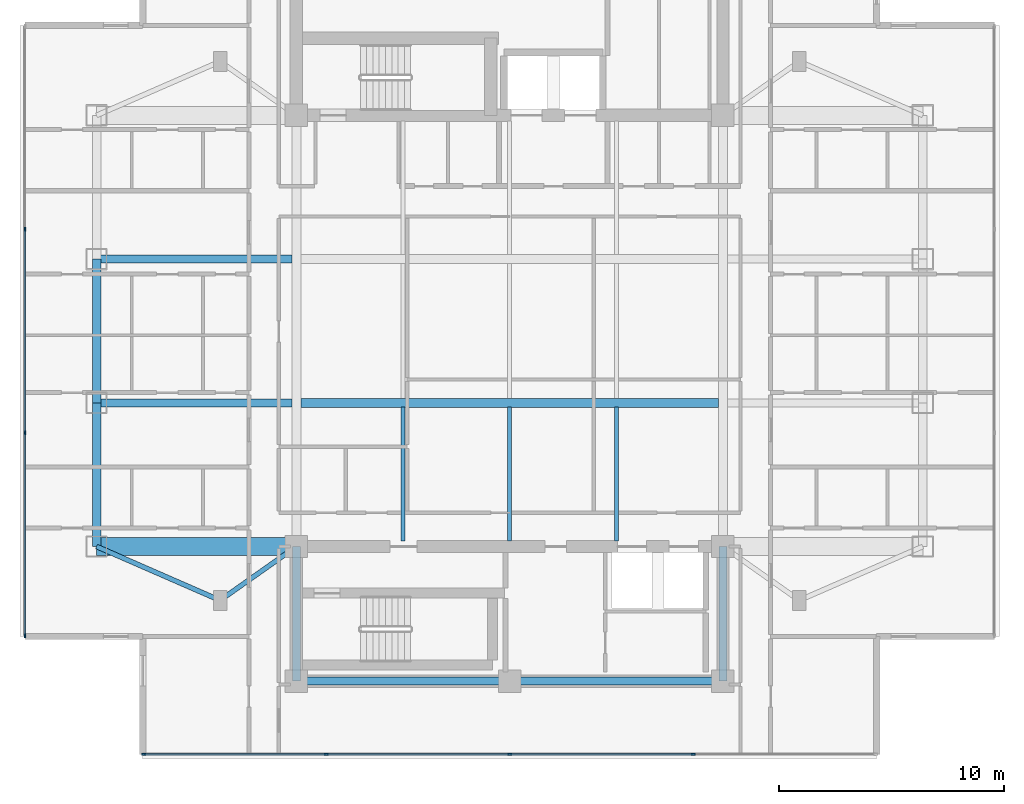
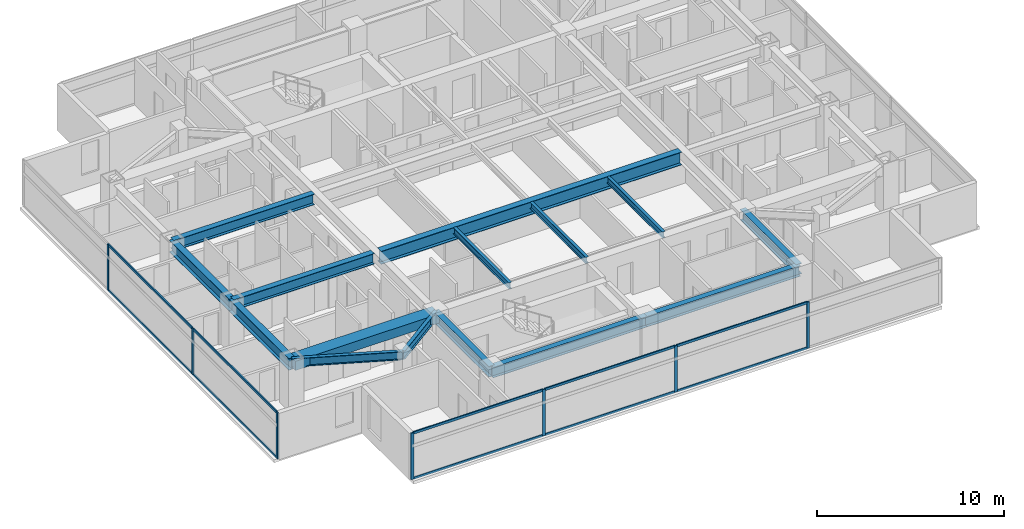
# One storey, part 2 of 25: 17 members, 15 beams, 2 elements without a shape of their own.
"""IFC4 building model written with IfcOpenShell, lengths in metres."""

from ifc_helpers import new_model, si_unit, direction, frame, origin, origin_2d, place, context, subcontext, project, spatial, rectangle, i_section, extrude, material, material_profile, profile_set, type_object, element, aggregate, save


model = new_model("IFC4")

# Units and contexts
model_context = context("Model", 3, precision=1e-05, world=origin(), true_north=direction((0.0, 1.0)))
body_context = subcontext(model_context, "Body", "Model", "MODEL_VIEW")
ifc_project = project(units=[si_unit("LENGTHUNIT", "METRE"), si_unit("AREAUNIT", "SQUARE_METRE"), si_unit("VOLUMEUNIT", "CUBIC_METRE"), si_unit("PLANEANGLEUNIT", "RADIAN"), si_unit("MASSUNIT", "GRAM", prefix="KILO")], contexts=[model_context])

# Site, building, storey
site_placement = place(None, origin())
site = spatial("IfcSite", under=ifc_project, at=site_placement, CompositionType="ELEMENT")
building_placement = place(site_placement, origin())
building = spatial("IfcBuilding", under=site, at=building_placement, Name="Mirazonda Arch Towers", CompositionType="ELEMENT")
storey_placement = place(building_placement, frame((0.0, 0.0, 177.14990234375)))
storey = spatial("IfcBuildingStorey", under=building, at=storey_placement, Name="L50", CompositionType="ELEMENT", Elevation=177.14990234375)

# Beams
ifc_material_1 = material(Name="Steel ASTM A992 Grade 50", Category="steel")
ifc_material_profile_1 = material_profile(ifc_material_1, i_section(OverallWidth=0.381103515625, OverallDepth=0.77294921875, WebThickness=0.0166015625, FlangeThickness=0.027099609375, at=origin_2d()), Name="W30X173")
ifc_profile_set_1 = profile_set([ifc_material_profile_1], Name="Steel ASTM A992 Grade 50")
beam_type_1 = type_object("IfcBeamType", Name="BM-EXT-W30X173", PredefinedType="USERDEFINED", material=ifc_profile_set_1)
beam_1_placement = place(storey_placement, frame((2.10009765625, 18.39990234375, 2.66357421875), z_axis=(0.0, 1.0, 0.0), x_axis=(-1.0, 0.0, 0.0)))
element("IfcBeam", 1, at=beam_1_placement, inside=storey, type_object=beam_type_1, Name="L50 Floor Beam BM-T1-L50-NS-W-18", ObjectType="GIRDER", PredefinedType="USERDEFINED", context=body_context, shape_type="SweptSolid", body=[
    extrude(i_section(OverallWidth=0.381103515625, OverallDepth=0.77294921875, WebThickness=0.0166015625, FlangeThickness=0.027099609375, at=origin_2d()), origin(), (0.0, 0.0, 1.0), 6.400146484375),
])
beam_2_placement = place(storey_placement, frame((2.10009765625, 24.800048828125, 2.66357421875), z_axis=(0.0, 1.0, 0.0), x_axis=(-1.0, 0.0, 0.0)))
element("IfcBeam", 2, at=beam_2_placement, inside=storey, type_object=beam_type_1, Name="L50 Floor Beam BM-T1-L50-NS-W-24", ObjectType="GIRDER", PredefinedType="USERDEFINED", context=body_context, shape_type="SweptSolid", body=[
    extrude(i_section(OverallWidth=0.381103515625, OverallDepth=0.77294921875, WebThickness=0.0166015625, FlangeThickness=0.027099609375, at=origin_2d()), origin(), (0.0, 0.0, 1.0), 6.39990234375),
])
ifc_material_profile_2 = material_profile(ifc_material_1, i_section(OverallWidth=0.180908203125, OverallDepth=0.4169921875, WebThickness=0.010986328125, FlangeThickness=0.018310546875, at=origin_2d()), Name="W16X57")
ifc_profile_set_2 = profile_set([ifc_material_profile_2], Name="Steel ASTM A992 Grade 50")
beam_type_2 = type_object("IfcBeamType", Name="BM-INT-W16X57", PredefinedType="JOIST", material=ifc_profile_set_2)
for number, where, z_axis, x_axis, name in (
    (3, (15.75, 18.639892578125, 2.841552734375), (0.0, 1.0, 0.0), (-1.0, 0.0, 0.0), "L50 Floor Beam BM-T1-L50-J-157-18"),
    (4, (20.5, 18.639892578125, 2.841552734375), (0.0, 1.0, 0.0), (-1.0, 0.0, 0.0), "L50 Floor Beam BM-T1-L50-J-205-18"),
    (5, (25.25, 18.639892578125, 2.841552734375), (0.0, 1.0, 0.0), (-1.0, 0.0, 0.0), "L50 Floor Beam BM-T1-L50-J-252-18"),
):
    element("IfcBeam", number, at=place(storey_placement, frame(where, z_axis=z_axis, x_axis=x_axis)), inside=storey, type_object=beam_type_2, Name=name, PredefinedType="JOIST", context=body_context, shape_type="SweptSolid", body=[
        extrude(i_section(OverallWidth=0.180908203125, OverallDepth=0.4169921875, WebThickness=0.010986328125, FlangeThickness=0.018310546875, at=origin_2d()), origin(), (0.0, 0.0, 1.0), 5.964111328125),
    ])
ifc_material_profile_3 = material_profile(ifc_material_1, i_section(OverallWidth=0.214111328125, OverallDepth=0.549072265625, WebThickness=0.0146484375, FlangeThickness=0.023681640625, at=origin_2d()), Name="W21X93")
ifc_profile_set_3 = profile_set([ifc_material_profile_3], Name="Steel ASTM A992 Grade 50")
beam_type_3 = type_object("IfcBeamType", Name="BM-INT-W21X93", PredefinedType="BEAM", material=ifc_profile_set_3)
beam_3_placement = place(storey_placement, frame((7.60009765625, 16.0, 2.775634765625), z_axis=(0.816971114901, 0.576678591087, 0.0), x_axis=(-0.576678591087, 0.816971114901, 0.0)))
element("IfcBeam", 6, at=beam_3_placement, inside=storey, type_object=beam_type_3, Name="L50 Floor Beam BM-T1-L50-PL-SW1", PredefinedType="BEAM", context=body_context, shape_type="SweptSolid", body=[
    extrude(i_section(OverallWidth=0.214111328125, OverallDepth=0.549072265625, WebThickness=0.0146484375, FlangeThickness=0.023681640625, at=origin_2d()), origin(), (0.0, 0.0, 1.0), 4.16162109375),
])
beam_4_placement = place(storey_placement, frame((7.60009765625, 16.0, 2.775634765625), z_axis=(-0.916545343703, 0.399930785183, 0.0), x_axis=(-0.399930785183, -0.916545343703, 0.0)))
element("IfcBeam", 7, at=beam_4_placement, inside=storey, type_object=beam_type_3, Name="L50 Floor Beam BM-T1-L50-PL-SW2", PredefinedType="BEAM", context=body_context, shape_type="SweptSolid", body=[
    extrude(i_section(OverallWidth=0.214111328125, OverallDepth=0.549072265625, WebThickness=0.0146484375, FlangeThickness=0.023681640625, at=origin_2d()), origin(), (0.0, 0.0, 1.0), 6.000732421875),
])
ifc_material_profile_4 = material_profile(ifc_material_1, i_section(OverallWidth=0.35498046875, OverallDepth=0.696044921875, WebThickness=0.015380859375, FlangeThickness=0.02490234375, at=origin_2d()), Name="W27X146")
ifc_profile_set_4 = profile_set([ifc_material_profile_4], Name="Steel ASTM A992 Grade 50")
beam_type_4 = type_object("IfcBeamType", Name="BM-INT-W27X146", PredefinedType="BEAM", material=ifc_profile_set_4)
for number, where, z_axis, x_axis, name in (
    (8, (2.10009765625, 24.800048828125, 2.7021484375), (1.0, 0.0, 0.0), (0.0, 1.0, 0.0), "L50 Floor Beam BM-T1-L50-GW2"),
    (9, (2.10009765625, 31.199951171875, 2.7021484375), (1.0, 0.0, 0.0), (0.0, 1.0, 0.0), "L50 Floor Beam BM-T1-L50-GW3"),
):
    element("IfcBeam", number, at=place(storey_placement, frame(where, z_axis=z_axis, x_axis=x_axis)), inside=storey, type_object=beam_type_4, Name=name, PredefinedType="BEAM", context=body_context, shape_type="SweptSolid", body=[
        extrude(i_section(OverallWidth=0.35498046875, OverallDepth=0.696044921875, WebThickness=0.015380859375, FlangeThickness=0.02490234375, at=origin_2d()), origin(), (0.0, 0.0, 1.0), 8.699951171875),
    ])
for number, where, z_axis, x_axis, name in (
    (10, (11.0, 12.39990234375, 2.7021484375), (1.0, 0.0, 0.0), (0.0, 1.0, 0.0), "L50 Floor Beam BM-T1-L50-CS1"),
    (11, (20.5, 12.39990234375, 2.7021484375), (1.0, 0.0, 0.0), (0.0, 1.0, 0.0), "L50 Floor Beam BM-T1-L50-CS2"),
):
    element("IfcBeam", number, at=place(storey_placement, frame(where, z_axis=z_axis, x_axis=x_axis)), inside=storey, type_object=beam_type_4, Name=name, PredefinedType="BEAM", context=body_context, shape_type="SweptSolid", body=[
        extrude(i_section(OverallWidth=0.35498046875, OverallDepth=0.696044921875, WebThickness=0.015380859375, FlangeThickness=0.02490234375, at=origin_2d()), origin(), (0.0, 0.0, 1.0), 9.5),
    ])
for number, where, z_axis, x_axis, name in (
    (12, (11.0, 12.39990234375, 2.7021484375), (0.0, 1.0, 0.0), (-1.0, 0.0, 0.0), "L50 Floor Beam BM-T1-L50-CSW"),
    (13, (30.0, 12.39990234375, 2.7021484375), (0.0, 1.0, 0.0), (-1.0, 0.0, 0.0), "L50 Floor Beam BM-T1-L50-CSE"),
):
    element("IfcBeam", number, at=place(storey_placement, frame(where, z_axis=z_axis, x_axis=x_axis)), inside=storey, type_object=beam_type_4, Name=name, PredefinedType="BEAM", context=body_context, shape_type="SweptSolid", body=[
        extrude(i_section(OverallWidth=0.35498046875, OverallDepth=0.696044921875, WebThickness=0.015380859375, FlangeThickness=0.02490234375, at=origin_2d()), origin(), (0.0, 0.0, 1.0), 6.0),
    ])
ifc_material_profile_5 = material_profile(ifc_material_1, i_section(OverallWidth=0.39990234375, OverallDepth=0.85595703125, WebThickness=0.018310546875, FlangeThickness=0.029296875, at=origin_2d()), Name="W33X201")
ifc_profile_set_5 = profile_set([ifc_material_profile_5], Name="Steel ASTM A992 Grade 50")
beam_type_5 = type_object("IfcBeamType", Name="BM-INT-W33X201", PredefinedType="USERDEFINED", material=ifc_profile_set_5)
beam_5_placement = place(storey_placement, frame((11.199951171875, 24.800048828125, 2.6220703125), z_axis=(1.0, 0.0, 0.0), x_axis=(0.0, 1.0, 0.0)))
element("IfcBeam", 14, at=beam_5_placement, inside=storey, type_object=beam_type_5, Name="L50 Floor Beam BM-T1-L50-GC2", ObjectType="GIRDER", PredefinedType="USERDEFINED", context=body_context, shape_type="SweptSolid", body=[
    extrude(i_section(OverallWidth=0.39990234375, OverallDepth=0.85595703125, WebThickness=0.018310546875, FlangeThickness=0.029296875, at=origin_2d()), origin(), (0.0, 0.0, 1.0), 18.60009765625),
])
ifc_material_2 = material(Name="Concrete C60/75", Category="concrete")
ifc_material_profile_6 = material_profile(ifc_material_2, rectangle(XDim=0.800048828125, YDim=0.60009765625, at=origin_2d()), Name="RCCB800x600")
ifc_profile_set_6 = profile_set([ifc_material_profile_6], Name="Concrete C60/75")
beam_type_6 = type_object("IfcBeamType", Name="CB-INT-RCCB800x600", PredefinedType="SPANDREL", material=ifc_profile_set_6)
beam_6_placement = place(storey_placement, frame((2.10009765625, 18.39990234375, 2.75), z_axis=(1.0, 0.0, 0.0), x_axis=(0.0, 1.0, 0.0)))
element("IfcBeam", 15, at=beam_6_placement, inside=storey, type_object=beam_type_6, Name="L50 Floor Beam CBC-T1-L50-SW", PredefinedType="SPANDREL", context=body_context, shape_type="SweptSolid", body=[
    extrude(rectangle(XDim=0.800048828125, YDim=0.60009765625, at=origin_2d()), origin(), (0.0, 0.0, 1.0), 8.89990234375),
])

# Curtain wall, members
ifc_material_3 = material(Name="Anodised Aluminium and Low-E Glass", Category="aluminium")
curtain_wall_type = type_object("IfcCurtainWallType", Name="CW-RES-UNIT", PredefinedType="NOTDEFINED", material=ifc_material_3)
curtain_wall_1_placement = place(storey_placement, origin())
curtain_wall_1 = element("IfcCurtainWall", 16, at=curtain_wall_1_placement, inside=storey, type_object=curtain_wall_type, Name="L50 T1 S Facade CW-L50-T1-S", PredefinedType="NOTDEFINED")
ifc_material_4 = material(Name="Anodised Aluminium Alloy", Category="aluminium")
ifc_material_profile_7 = material_profile(ifc_material_4, rectangle(XDim=0.074951171875, YDim=0.175048828125, at=origin_2d()), Name="ALU-MULL-75x175")
ifc_profile_set_7 = profile_set([ifc_material_profile_7], Name="Anodised Aluminium Alloy")
member_type_1 = type_object("IfcMemberType", Name="MULL-CW-RES-UNIT", PredefinedType="MULLION", material=ifc_profile_set_7)
member_1_placement = place(storey_placement, frame((28.672607421875, 9.14404296875, 0.0), z_axis=(0.0, 0.0, 1.0), x_axis=(0.0, -1.0, 0.0)))
member_1 = element("IfcMember", 17, at=member_1_placement, type_object=member_type_1, Name="CW-104 mullion 2", PredefinedType="MULLION", context=body_context, shape_type="SweptSolid", body=[
    extrude(rectangle(XDim=0.074951171875, YDim=0.175048828125, at=origin_2d()), origin(), (0.0, 0.0, 1.0), 3.030029296875),
])
member_2_placement = place(storey_placement, frame((20.5, 9.14404296875, 0.0), z_axis=(0.0, 0.0, 1.0), x_axis=(0.0, -1.0, 0.0)))
member_2 = element("IfcMember", 18, at=member_2_placement, type_object=member_type_1, Name="CW-104 mullion 3", PredefinedType="MULLION", context=body_context, shape_type="SweptSolid", body=[
    extrude(rectangle(XDim=0.074951171875, YDim=0.175048828125, at=origin_2d()), origin(), (0.0, 0.0, 1.0), 3.030029296875),
])
member_3_placement = place(storey_placement, frame((12.327392578125, 9.14404296875, 0.0), z_axis=(0.0, 0.0, 1.0), x_axis=(0.0, -1.0, 0.0)))
member_3 = element("IfcMember", 19, at=member_3_placement, type_object=member_type_1, Name="CW-104 mullion 4", PredefinedType="MULLION", context=body_context, shape_type="SweptSolid", body=[
    extrude(rectangle(XDim=0.074951171875, YDim=0.175048828125, at=origin_2d()), origin(), (0.0, 0.0, 1.0), 3.030029296875),
])
member_4_placement = place(storey_placement, frame((4.1923828125, 9.14404296875, 0.0), z_axis=(0.0, 0.0, 1.0), x_axis=(0.0, -1.0, 0.0)))
member_4 = element("IfcMember", 20, at=member_4_placement, type_object=member_type_1, Name="CW-104 mullion 5", PredefinedType="MULLION", context=body_context, shape_type="SweptSolid", body=[
    extrude(rectangle(XDim=0.074951171875, YDim=0.175048828125, at=origin_2d()), origin(), (0.0, 0.0, 1.0), 3.030029296875),
])

curtain_wall_2_placement = place(storey_placement, origin())
curtain_wall_2 = element("IfcCurtainWall", 21, at=curtain_wall_2_placement, inside=storey, type_object=curtain_wall_type, Name="L50 T1 W Facade CW-L50-T1-W", PredefinedType="NOTDEFINED")
member_5_placement = place(storey_placement, frame((-1.090087890625, 32.537109375, 0.0), z_axis=(0.0, 0.0, 1.0), x_axis=(1.0, 0.0, 0.0)))
member_5 = element("IfcMember", 22, at=member_5_placement, type_object=member_type_1, Name="CW-104 mullion 2", PredefinedType="MULLION", context=body_context, shape_type="SweptSolid", body=[
    extrude(rectangle(XDim=0.074951171875, YDim=0.175048828125, at=origin_2d()), origin(), (0.0, 0.0, 1.0), 3.030029296875),
])
member_6_placement = place(storey_placement, frame((-1.090087890625, 23.462890625, 0.0), z_axis=(0.0, 0.0, 1.0), x_axis=(1.0, 0.0, 0.0)))
member_6 = element("IfcMember", 23, at=member_6_placement, type_object=member_type_1, Name="CW-104 mullion 3", PredefinedType="MULLION", context=body_context, shape_type="SweptSolid", body=[
    extrude(rectangle(XDim=0.074951171875, YDim=0.175048828125, at=origin_2d()), origin(), (0.0, 0.0, 1.0), 3.030029296875),
])
member_7_placement = place(storey_placement, frame((-1.090087890625, 14.426513671875, 0.0), z_axis=(0.0, 0.0, 1.0), x_axis=(1.0, 0.0, 0.0)))
member_7 = element("IfcMember", 24, at=member_7_placement, type_object=member_type_1, Name="CW-104 mullion 4", PredefinedType="MULLION", context=body_context, shape_type="SweptSolid", body=[
    extrude(rectangle(XDim=0.074951171875, YDim=0.175048828125, at=origin_2d()), origin(), (0.0, 0.0, 1.0), 3.030029296875),
])

# Member
ifc_material_profile_8 = material_profile(ifc_material_4, rectangle(XDim=0.074951171875, YDim=0.155029296875, at=origin_2d()), Name="ALU-TRAN-75x155")
ifc_profile_set_8 = profile_set([ifc_material_profile_8], Name="Anodised Aluminium Alloy")
member_type_2 = type_object("IfcMemberType", Name="TRAN-CW-RES-UNIT", PredefinedType="USERDEFINED", material=ifc_profile_set_8)
member_8_placement = place(storey_placement, frame((28.635009765625, 9.14404296875, 0.03759765625), z_axis=(-1.0, 0.0, 0.0), x_axis=(0.0, -1.0, 0.0)))
member_8 = element("IfcMember", 25, at=member_8_placement, type_object=member_type_2, Name="CW-104 transom 2.1", ObjectType="TRANSOM", PredefinedType="USERDEFINED", context=body_context, shape_type="SweptSolid", body=[
    extrude(rectangle(XDim=0.074951171875, YDim=0.155029296875, at=origin_2d()), origin(), (0.0, 0.0, 1.0), 8.097412109375),
])

member_9_placement = place(storey_placement, frame((28.635009765625, 9.14404296875, 2.99267578125), z_axis=(-1.0, 0.0, 0.0), x_axis=(0.0, -1.0, 0.0)))
member_9 = element("IfcMember", 26, at=member_9_placement, type_object=member_type_2, Name="CW-104 transom 2.2", ObjectType="TRANSOM", PredefinedType="USERDEFINED", context=body_context, shape_type="SweptSolid", body=[
    extrude(rectangle(XDim=0.074951171875, YDim=0.155029296875, at=origin_2d()), origin(), (0.0, 0.0, 1.0), 8.097412109375),
])

member_10_placement = place(storey_placement, frame((20.46240234375, 9.14404296875, 0.03759765625), z_axis=(-1.0, 0.0, 0.0), x_axis=(0.0, -1.0, 0.0)))
member_10 = element("IfcMember", 27, at=member_10_placement, type_object=member_type_2, Name="CW-104 transom 3.1", ObjectType="TRANSOM", PredefinedType="USERDEFINED", context=body_context, shape_type="SweptSolid", body=[
    extrude(rectangle(XDim=0.074951171875, YDim=0.155029296875, at=origin_2d()), origin(), (0.0, 0.0, 1.0), 8.097412109375),
])

member_11_placement = place(storey_placement, frame((20.46240234375, 9.14404296875, 2.99267578125), z_axis=(-1.0, 0.0, 0.0), x_axis=(0.0, -1.0, 0.0)))
member_11 = element("IfcMember", 28, at=member_11_placement, type_object=member_type_2, Name="CW-104 transom 3.2", ObjectType="TRANSOM", PredefinedType="USERDEFINED", context=body_context, shape_type="SweptSolid", body=[
    extrude(rectangle(XDim=0.074951171875, YDim=0.155029296875, at=origin_2d()), origin(), (0.0, 0.0, 1.0), 8.097412109375),
])

member_12_placement = place(storey_placement, frame((12.2900390625, 9.14404296875, 0.03759765625), z_axis=(-1.0, 0.0, 0.0), x_axis=(0.0, -1.0, 0.0)))
member_12 = element("IfcMember", 29, at=member_12_placement, type_object=member_type_2, Name="CW-104 transom 4.1", ObjectType="TRANSOM", PredefinedType="USERDEFINED", context=body_context, shape_type="SweptSolid", body=[
    extrude(rectangle(XDim=0.074951171875, YDim=0.155029296875, at=origin_2d()), origin(), (0.0, 0.0, 1.0), 8.06005859375),
])

member_13_placement = place(storey_placement, frame((12.2900390625, 9.14404296875, 2.99267578125), z_axis=(-1.0, 0.0, 0.0), x_axis=(0.0, -1.0, 0.0)))
member_13 = element("IfcMember", 30, at=member_13_placement, type_object=member_type_2, Name="CW-104 transom 4.2", ObjectType="TRANSOM", PredefinedType="USERDEFINED", context=body_context, shape_type="SweptSolid", body=[
    extrude(rectangle(XDim=0.074951171875, YDim=0.155029296875, at=origin_2d()), origin(), (0.0, 0.0, 1.0), 8.06005859375),
])

aggregate(curtain_wall_1, [member_1, member_2, member_3, member_4, member_8, member_9, member_10, member_11, member_12, member_13])

member_14_placement = place(storey_placement, frame((-1.090087890625, 32.49951171875, 0.03759765625), z_axis=(0.0, -1.0, 0.0), x_axis=(1.0, 0.0, 0.0)))
member_14 = element("IfcMember", 31, at=member_14_placement, type_object=member_type_2, Name="CW-104 transom 2.1", ObjectType="TRANSOM", PredefinedType="USERDEFINED", context=body_context, shape_type="SweptSolid", body=[
    extrude(rectangle(XDim=0.074951171875, YDim=0.155029296875, at=origin_2d()), origin(), (0.0, 0.0, 1.0), 8.9990234375),
])

member_15_placement = place(storey_placement, frame((-1.090087890625, 32.49951171875, 2.99267578125), z_axis=(0.0, -1.0, 0.0), x_axis=(1.0, 0.0, 0.0)))
member_15 = element("IfcMember", 32, at=member_15_placement, type_object=member_type_2, Name="CW-104 transom 2.2", ObjectType="TRANSOM", PredefinedType="USERDEFINED", context=body_context, shape_type="SweptSolid", body=[
    extrude(rectangle(XDim=0.074951171875, YDim=0.155029296875, at=origin_2d()), origin(), (0.0, 0.0, 1.0), 8.9990234375),
])

member_16_placement = place(storey_placement, frame((-1.090087890625, 23.425537109375, 0.03759765625), z_axis=(0.0, -1.0, 0.0), x_axis=(1.0, 0.0, 0.0)))
member_16 = element("IfcMember", 33, at=member_16_placement, type_object=member_type_2, Name="CW-104 transom 3.1", ObjectType="TRANSOM", PredefinedType="USERDEFINED", context=body_context, shape_type="SweptSolid", body=[
    extrude(rectangle(XDim=0.074951171875, YDim=0.155029296875, at=origin_2d()), origin(), (0.0, 0.0, 1.0), 8.96142578125),
])

member_17_placement = place(storey_placement, frame((-1.090087890625, 23.425537109375, 2.99267578125), z_axis=(0.0, -1.0, 0.0), x_axis=(1.0, 0.0, 0.0)))
member_17 = element("IfcMember", 34, at=member_17_placement, type_object=member_type_2, Name="CW-104 transom 3.2", ObjectType="TRANSOM", PredefinedType="USERDEFINED", context=body_context, shape_type="SweptSolid", body=[
    extrude(rectangle(XDim=0.074951171875, YDim=0.155029296875, at=origin_2d()), origin(), (0.0, 0.0, 1.0), 8.96142578125),
])

aggregate(curtain_wall_2, [member_5, member_6, member_7, member_14, member_15, member_16, member_17])

save(model, "model.ifc")
